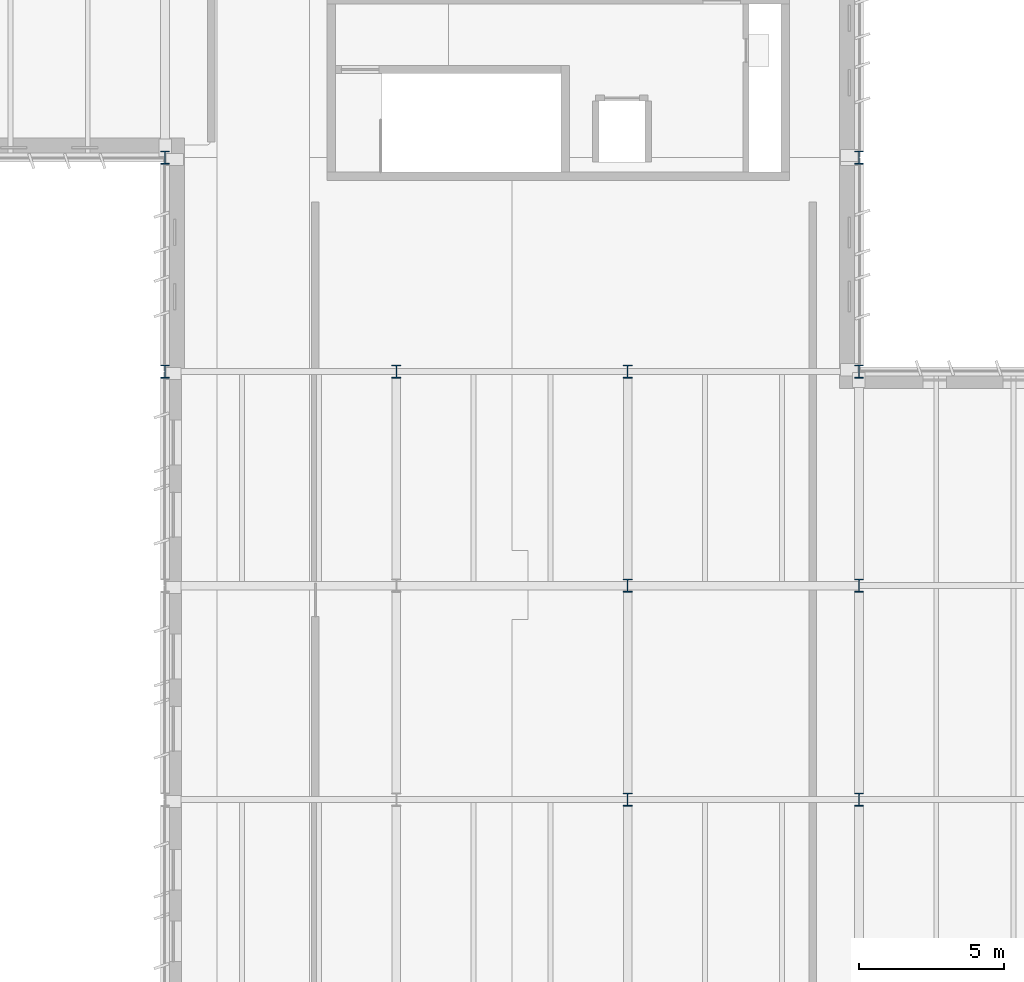
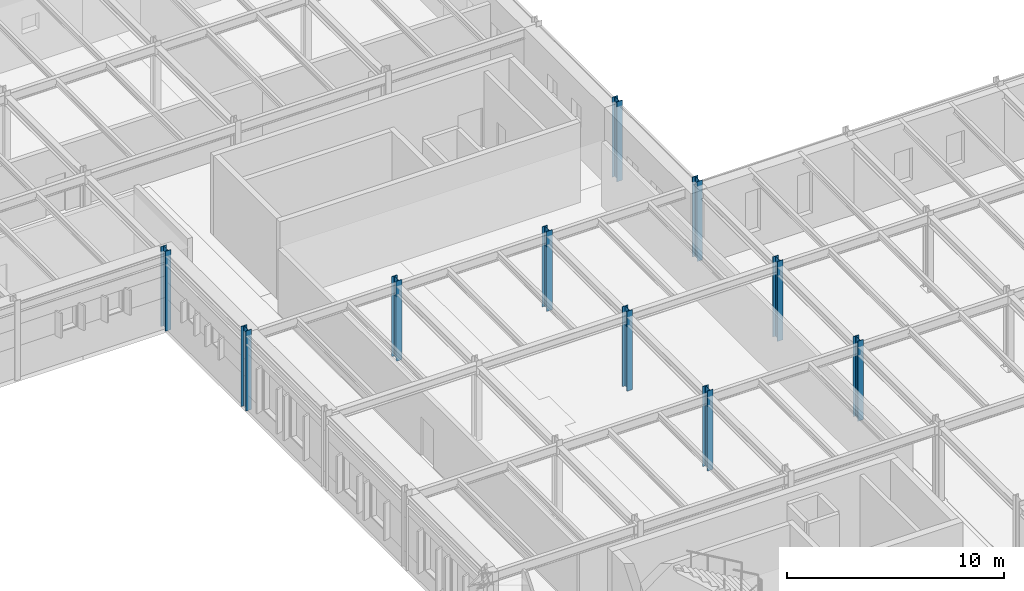
# One storey, part 8 of 75: 10 columns.
"""IFC4 building model written with IfcOpenShell, lengths in metres."""

import ifcopenshell
import ifcopenshell.guid

model = None  # the IFC model being written
_history = None  # IfcOwnerHistory: only IFC2X3 demands one
_inside = {}  # id of a spatial element -> (the spatial element, [elements in it])
_under = {}  # id of a project, library or spatial element -> (it, [spatial elements below it])
_declared = {}  # id of a project -> (the project, [libraries it declares])
_typed = {}  # id of a type object -> (the type object, [elements of that type])
_made_of = {}  # id of a material, layer set ... -> (it, [elements and type objects made of it])


def new_model(schema):
    """Start an empty IFC model of exactly this schema.

    Asked for "IFC4X3", IfcOpenShell would pick the latest addendum, in which some entities
    have other attributes; the version numbers below select the first issue.
    IFC2X3 requires an IfcOwnerHistory on every rooted entity: one is made here for all.
    """
    global model, _history
    if schema == "IFC4X3":
        model = ifcopenshell.file(schema_version=(4, 3, 0, 0))
    else:
        model = ifcopenshell.file(schema=schema)
    _inside.clear()
    _under.clear()
    _declared.clear()
    _typed.clear()
    _made_of.clear()
    _history = None
    if model.schema == "IFC2X3":
        org = make("IfcOrganization", Name="unknown")
        user = make(
            "IfcPersonAndOrganization",
            ThePerson=make("IfcPerson", FamilyName="unknown"),
            TheOrganization=org,
        )
        app = make(
            "IfcApplication",
            ApplicationDeveloper=org,
            Version="unknown",
            ApplicationFullName="unknown",
            ApplicationIdentifier="unknown",
        )
        _history = make(
            "IfcOwnerHistory",
            OwningUser=user,
            OwningApplication=app,
            ChangeAction="ADDED",
            CreationDate=0,
        )
    return model


def make(cls, **values):
    """One entity of the class cls with the attributes given. An attribute that is None is left unset."""
    return model.create_entity(
        cls, **{name: value for name, value in values.items() if value is not None}
    )


def rooted(cls, **values):
    """An entity with a GlobalId (a new one), such as an element, a storey or a relation."""
    return make(cls, GlobalId=ifcopenshell.guid.new(), OwnerHistory=_history, **values)


def si_unit(unit_type, name, prefix=None):
    """IfcSIUnit, for example si_unit("LENGTHUNIT", "METRE", prefix="MILLI")."""
    return make("IfcSIUnit", UnitType=unit_type, Prefix=prefix, Name=name)


def assignment(units):
    """IfcUnitAssignment: the units of a project."""
    return None if units is None else make("IfcUnitAssignment", Units=units)


def point(xyz):
    """IfcCartesianPoint."""
    return None if xyz is None else make("IfcCartesianPoint", Coordinates=xyz)


def direction(xyz):
    """IfcDirection."""
    return None if xyz is None else make("IfcDirection", DirectionRatios=xyz)


def frame(location, z_axis=None, x_axis=None):
    """IfcAxis2Placement3D, a coordinate frame: its origin and axes. An axis left out is left unset."""
    return make(
        "IfcAxis2Placement3D",
        Location=point(location),
        Axis=direction(z_axis),
        RefDirection=direction(x_axis),
    )


def frame_2d(location, x_axis=None):
    """IfcAxis2Placement2D, a coordinate frame in the plane: its origin and x axis."""
    return make(
        "IfcAxis2Placement2D", Location=point(location), RefDirection=direction(x_axis)
    )


def origin():
    """The frame at (0, 0, 0) with its axes left unset."""
    return frame((0.0, 0.0, 0.0))


def origin_2d():
    """The frame at (0, 0) in the plane with its x axis left unset."""
    return frame_2d((0.0, 0.0))


def place(relative_to, where):
    """IfcLocalPlacement: puts the frame where relative to a parent placement (None: the world)."""
    return make(
        "IfcLocalPlacement", PlacementRelTo=relative_to, RelativePlacement=where
    )


def context(
    kind, dimensions, precision=None, world=None, true_north=None, identifier=None
):
    """IfcGeometricRepresentationContext, for example the 3D "Model" context."""
    return make(
        "IfcGeometricRepresentationContext",
        ContextIdentifier=identifier,
        ContextType=kind,
        CoordinateSpaceDimension=dimensions,
        Precision=precision,
        WorldCoordinateSystem=world,
        TrueNorth=true_north,
    )


def subcontext(parent, identifier, kind, view, scale=None):
    """IfcGeometricRepresentationSubContext, for example "Body" below "Model"."""
    return make(
        "IfcGeometricRepresentationSubContext",
        ContextIdentifier=identifier,
        ContextType=kind,
        ParentContext=parent,
        TargetScale=scale,
        TargetView=view,
    )


def project(units=None, contexts=None):
    """IfcProject with its units and contexts."""
    return rooted(
        "IfcProject",
        Name="project",
        RepresentationContexts=contexts,
        UnitsInContext=assignment(units),
    )


def spatial(cls, under=None, at=None, **own):
    """A site, building, storey or space (cls), placed at a placement, below another one or the project."""
    s = rooted(cls, ObjectPlacement=at, **own)
    if under is not None:
        _under.setdefault(under.id(), (under, []))[1].append(s)
    return s


def profile(cls, at=None, kind="AREA", **sizes):
    """A parametric profile (cls). Its sizes go by their IFC names, for example OverallWidth=200.0."""
    return make(cls, ProfileType=kind, Position=at, **sizes)


def i_section(**sizes):
    """IfcIShapeProfileDef."""
    return profile("IfcIShapeProfileDef", **sizes)


def extrude(swept, where, along, depth):
    """IfcExtrudedAreaSolid: the profile swept, set in the frame where, extruded along a direction by depth."""
    return make(
        "IfcExtrudedAreaSolid",
        SweptArea=swept,
        Position=where,
        ExtrudedDirection=direction(along),
        Depth=depth,
    )


def shape(context_of_items, identifier, shape_type, items):
    """IfcShapeRepresentation: the items that make up one representation, for example the "Body"."""
    return make(
        "IfcShapeRepresentation",
        ContextOfItems=context_of_items,
        RepresentationIdentifier=identifier,
        RepresentationType=shape_type,
        Items=items,
    )


def material(Name=None, Category=None):
    """IfcMaterial."""
    return make("IfcMaterial", Name=Name, Category=Category)


def material_profile(
    of_material, cross_section, Name=None, Category=None, Priority=None
):
    """IfcMaterialProfile: a cross section and its material."""
    return make(
        "IfcMaterialProfile",
        Name=Name,
        Material=of_material,
        Profile=cross_section,
        Priority=Priority,
        Category=Category,
    )


def profile_set(profiles, Name=None, composite=None):
    """IfcMaterialProfileSet."""
    return make(
        "IfcMaterialProfileSet",
        Name=Name,
        MaterialProfiles=profiles,
        CompositeProfile=composite,
    )


def made_of(thing, what):
    """Note that an element or type object is made of a material, layer set ...; save() writes the relation."""
    if what is not None:
        _made_of.setdefault(what.id(), (what, []))[1].append(thing)
    return thing


def type_object(cls, material=None, **own):
    """A type object (cls), such as IfcWallType, which elements share."""
    return made_of(rooted(cls, **own), material)


def element(
    cls,
    number,
    at=None,
    inside=None,
    cuts=None,
    type_object=None,
    material=None,
    context=None,
    identifier="Body",
    shape_type=None,
    held_by="IfcProductDefinitionShape",
    body=None,
    shapes=None,
    **own,
):
    """One element of the class cls, such as IfcWall. Its Tag is "e" and its number.

    at: its placement. inside: the storey or other place that contains it. cuts: it is an
    opening in that element (IfcRelVoidsElement). A single representation is given by context,
    identifier, shape_type and body (its items); several are given by shapes. held_by: the class
    of the entity that holds the representations. save() writes the other relations.
    """
    e = rooted(cls, Tag="e%d" % number, ObjectPlacement=at, **own)
    if body is not None:
        shapes = [shape(context, identifier, shape_type, body)]
    if shapes is not None:
        e.Representation = make(held_by, Representations=shapes)
    if inside is not None:
        _inside.setdefault(inside.id(), (inside, []))[1].append(e)
    if cuts is not None:
        rooted(
            "IfcRelVoidsElement", RelatingBuildingElement=cuts, RelatedOpeningElement=e
        )
    if type_object is not None:
        _typed.setdefault(type_object.id(), (type_object, []))[1].append(e)
    return made_of(e, material)


def aggregate(whole, parts):
    """IfcRelAggregates: a whole, such as a stair, and the parts it consists of."""
    return rooted("IfcRelAggregates", RelatingObject=whole, RelatedObjects=parts)


def save(model, path):
    """Write the relations noted so far, then the file.

    IfcRelAggregates (storeys below a building ...), IfcRelContainedInSpatialStructure (elements
    in a storey), IfcRelDefinesByType, IfcRelAssociatesMaterial and IfcRelDeclares: one each for
    every whole, place, type object, material and project.
    """
    for whole, parts in _under.values():
        aggregate(whole, parts)
    for where, things in _inside.values():
        rooted(
            "IfcRelContainedInSpatialStructure",
            RelatedElements=things,
            RelatingStructure=where,
        )
    for kind, things in _typed.values():
        rooted("IfcRelDefinesByType", RelatedObjects=things, RelatingType=kind)
    for what, things in _made_of.values():
        rooted("IfcRelAssociatesMaterial", RelatedObjects=things, RelatingMaterial=what)
    for by, libraries in _declared.values():
        rooted("IfcRelDeclares", RelatingContext=by, RelatedDefinitions=libraries)
    model.write(path)


model = new_model("IFC4")

# Units and contexts
model_context = context("Model", 3, precision=1e-05, world=origin(), true_north=direction((0.0, 1.0)))
body_context = subcontext(model_context, "Body", "Model", "MODEL_VIEW")
ifc_project = project(units=[si_unit("LENGTHUNIT", "METRE"), si_unit("AREAUNIT", "SQUARE_METRE"), si_unit("VOLUMEUNIT", "CUBIC_METRE"), si_unit("PLANEANGLEUNIT", "RADIAN"), si_unit("MASSUNIT", "GRAM", prefix="KILO")], contexts=[model_context])

# Site, building, storey
site_placement = place(None, origin())
site = spatial("IfcSite", under=ifc_project, at=site_placement, CompositionType="ELEMENT")
building_placement = place(site_placement, origin())
building = spatial("IfcBuilding", under=site, at=building_placement, Name="Valkorina Park Police Headquarters", CompositionType="ELEMENT")
storey_placement = place(building_placement, frame((0.0, 0.0, 5.39990234375)))
storey = spatial("IfcBuildingStorey", under=building, at=storey_placement, Name="L02", CompositionType="ELEMENT", Elevation=5.39990234375)

# Columns
ifc_material = material(Name="Steel S355", Category="steel")
ifc_material_profile_1 = material_profile(ifc_material, i_section(OverallWidth=0.300048828125, OverallDepth=0.449951171875, WebThickness=0.013916015625, FlangeThickness=0.02587890625, FilletRadius=0.027099609375, at=origin_2d()), Name="HEB 450")
ifc_profile_set_1 = profile_set([ifc_material_profile_1], Name="Steel S355")
column_type_1 = type_object("IfcColumnType", Name="COL-S355-HEB450-EXT", PredefinedType="COLUMN", material=ifc_profile_set_1)
for number, where, z_axis, x_axis, name in (
    (1, (32.800048828125, 81.39990234375, 0.0), (0.0, 0.0, 1.0), (1.0, 0.0, 0.0), "L02 Column 0553"),
    (2, (32.800048828125, 88.800048828125, 0.0), (0.0, 0.0, 1.0), (1.0, 0.0, 0.0), "L02 Column 0554"),
    (3, (56.800048828125, 81.39990234375, 0.0), (0.0, 0.0, 1.0), (1.0, 0.0, 0.0), "L02 Column 0589"),
    (4, (56.800048828125, 88.800048828125, 0.0), (0.0, 0.0, 1.0), (1.0, 0.0, 0.0), "L02 Column 0590"),
):
    element("IfcColumn", number, at=place(storey_placement, frame(where, z_axis=z_axis, x_axis=x_axis)), inside=storey, type_object=column_type_1, Name=name, PredefinedType="COLUMN", context=body_context, shape_type="SweptSolid", body=[
        extrude(i_section(OverallWidth=0.300048828125, OverallDepth=0.449951171875, WebThickness=0.013916015625, FlangeThickness=0.02587890625, FilletRadius=0.027099609375, at=origin_2d()), origin(), (0.0, 0.0, 1.0), 4.5),
    ])
ifc_material_profile_2 = material_profile(ifc_material, i_section(OverallWidth=0.300048828125, OverallDepth=0.449951171875, WebThickness=0.013916015625, FlangeThickness=0.02587890625, FilletRadius=0.027099609375, at=origin_2d()), Name="HEB 450")
ifc_profile_set_2 = profile_set([ifc_material_profile_2], Name="Steel S355")
column_type_2 = type_object("IfcColumnType", Name="COL-S355-HEB450-INT", PredefinedType="COLUMN", material=ifc_profile_set_2)
for number, where, z_axis, x_axis, name in (
    (5, (40.800048828125, 81.39990234375, 0.0), (0.0, 0.0, 1.0), (1.0, 0.0, 0.0), "L02 Column 0565"),
    (6, (48.800048828125, 66.60009765625, 0.0), (0.0, 0.0, 1.0), (1.0, 0.0, 0.0), "L02 Column 0574"),
    (7, (48.800048828125, 74.0, 0.0), (0.0, 0.0, 1.0), (1.0, 0.0, 0.0), "L02 Column 0575"),
    (8, (48.800048828125, 81.39990234375, 0.0), (0.0, 0.0, 1.0), (1.0, 0.0, 0.0), "L02 Column 0576"),
    (9, (56.800048828125, 66.60009765625, 0.0), (0.0, 0.0, 1.0), (1.0, 0.0, 0.0), "L02 Column 0587"),
    (10, (56.800048828125, 74.0, 0.0), (0.0, 0.0, 1.0), (1.0, 0.0, 0.0), "L02 Column 0588"),
):
    element("IfcColumn", number, at=place(storey_placement, frame(where, z_axis=z_axis, x_axis=x_axis)), inside=storey, type_object=column_type_2, Name=name, PredefinedType="COLUMN", context=body_context, shape_type="SweptSolid", body=[
        extrude(i_section(OverallWidth=0.300048828125, OverallDepth=0.449951171875, WebThickness=0.013916015625, FlangeThickness=0.02587890625, FilletRadius=0.027099609375, at=origin_2d()), origin(), (0.0, 0.0, 1.0), 4.5),
    ])

save(model, "model.ifc")
